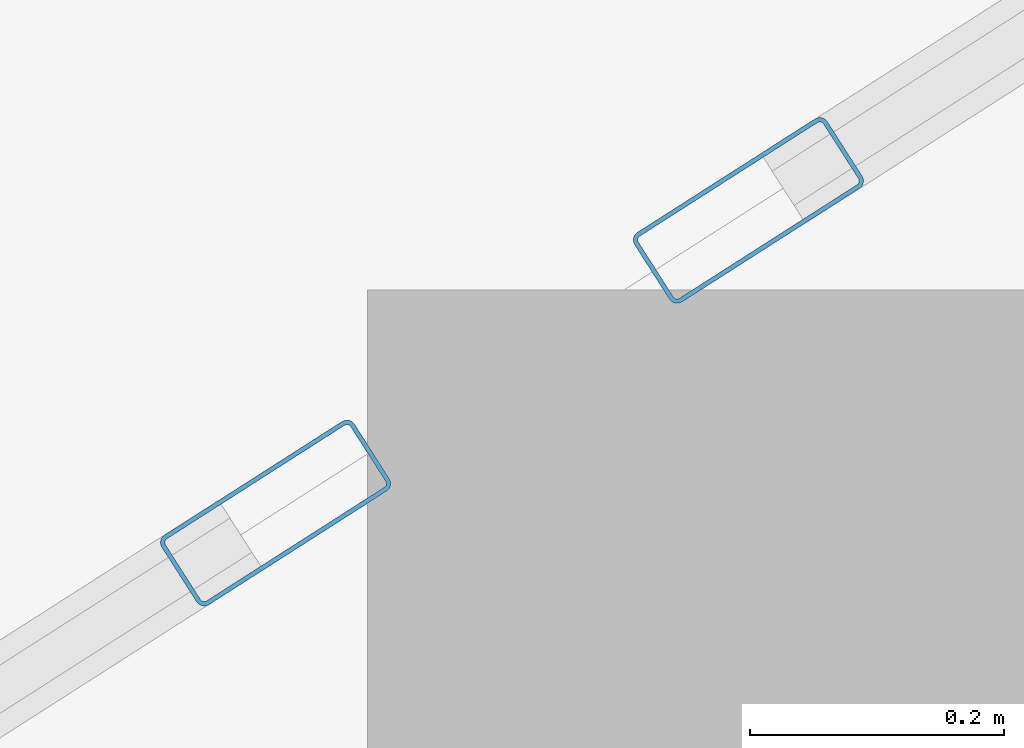
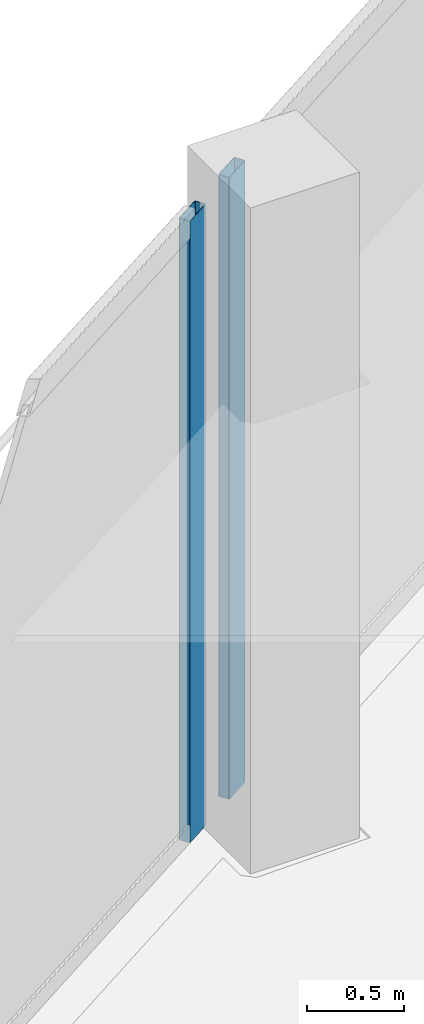
# One storey, part 16 of 43: 2 members, 2 elements without a shape of their own.
"""IFC4 building model written with IfcOpenShell, lengths in metres."""

from ifc_helpers import new_model, si_unit, direction, frame, origin, origin_2d, place, context, subcontext, project, spatial, hollow_rectangle, extrude, material, layer, layer_set, material_profile, profile_set, type_object, element, aggregate, save


model = new_model("IFC4")

# Units and contexts
model_context = context("Model", 3, precision=1e-05, world=origin(), true_north=direction((0.0, 1.0)))
body_context = subcontext(model_context, "Body", "Model", "MODEL_VIEW")
ifc_project = project(units=[si_unit("LENGTHUNIT", "METRE"), si_unit("AREAUNIT", "SQUARE_METRE"), si_unit("VOLUMEUNIT", "CUBIC_METRE"), si_unit("PLANEANGLEUNIT", "RADIAN"), si_unit("MASSUNIT", "GRAM", prefix="KILO")], contexts=[model_context])

# Site, building, storey
site_placement = place(None, origin())
site = spatial("IfcSite", under=ifc_project, at=site_placement, CompositionType="ELEMENT")
building_placement = place(site_placement, origin())
building = spatial("IfcBuilding", under=site, at=building_placement, Name="Qorvath Tower", CompositionType="ELEMENT")
storey_placement = place(building_placement, frame((0.0, 0.0, 36.60009765625)))
storey = spatial("IfcBuildingStorey", under=building, at=storey_placement, Name="L07", CompositionType="ELEMENT", Elevation=36.60009765625)

# Curtain wall, member
ifc_material_1 = material(Name="Anodised aluminium and triple low-E glass", Category="aluminium")
ifc_layer = layer(ifc_material_1, 0.179931640625)
ifc_layer_set = layer_set([ifc_layer], Name="CW-SYS-2")
curtain_wall_type = type_object("IfcCurtainWallType", Name="CW-SYS-2", PredefinedType="NOTDEFINED", material=ifc_layer_set)
curtain_wall_1_placement = place(storey_placement, origin())
curtain_wall_1 = element("IfcCurtainWall", 1, at=curtain_wall_1_placement, inside=storey, type_object=curtain_wall_type, Name="Curtain Wall CW-2 CW-T-L07-16.2", PredefinedType="NOTDEFINED")
ifc_material_2 = material(Name="Anodised aluminium 6063-T6", Category="aluminium")
ifc_material_profile = material_profile(ifc_material_2, hollow_rectangle(XDim=0.06494140625, YDim=0.179931640625, WallThickness=0.00341796875, InnerFilletRadius=0.00341796875, OuterFilletRadius=0.007080078125, at=origin_2d()), Name="CWM 180x65")
ifc_profile_set = profile_set([ifc_material_profile], Name="Anodised aluminium 6063-T6")
member_type = type_object("IfcMemberType", Name="CWM-180", PredefinedType="MULLION", material=ifc_profile_set)
member_1_placement = place(storey_placement, frame((-40.357421875, 17.34326171875, 0.0), z_axis=(0.0, 0.0, 1.0), x_axis=(0.538534725955, -0.842603316479, 0.0)))
member_1 = element("IfcMember", 2, at=member_1_placement, type_object=member_type, Name="CW-2 mullion 5", PredefinedType="MULLION", context=body_context, shape_type="SweptSolid", body=[
    extrude(hollow_rectangle(XDim=0.06494140625, YDim=0.179931640625, WallThickness=0.00341796875, InnerFilletRadius=0.00341796875, OuterFilletRadius=0.007080078125, at=origin_2d()), origin(), (0.0, 0.0, 1.0), 3.919921875),
])
aggregate(curtain_wall_1, [member_1])

curtain_wall_2_placement = place(storey_placement, origin())
curtain_wall_2 = element("IfcCurtainWall", 3, at=curtain_wall_2_placement, inside=storey, type_object=curtain_wall_type, Name="Curtain Wall CW-2 CW-T-L07-16.3", PredefinedType="NOTDEFINED")
member_2_placement = place(storey_placement, frame((-40.729736328125, 17.10498046875, 0.0), z_axis=(0.0, 0.0, 1.0), x_axis=(0.538528741164, -0.84260714152, 0.0)))
member_2 = element("IfcMember", 4, at=member_2_placement, type_object=member_type, Name="CW-2 mullion 1", PredefinedType="MULLION", context=body_context, shape_type="SweptSolid", body=[
    extrude(hollow_rectangle(XDim=0.06494140625, YDim=0.179931640625, WallThickness=0.00341796875, InnerFilletRadius=0.00341796875, OuterFilletRadius=0.007080078125, at=origin_2d()), origin(), (0.0, 0.0, 1.0), 3.919921875),
])
aggregate(curtain_wall_2, [member_2])

save(model, "model.ifc")
